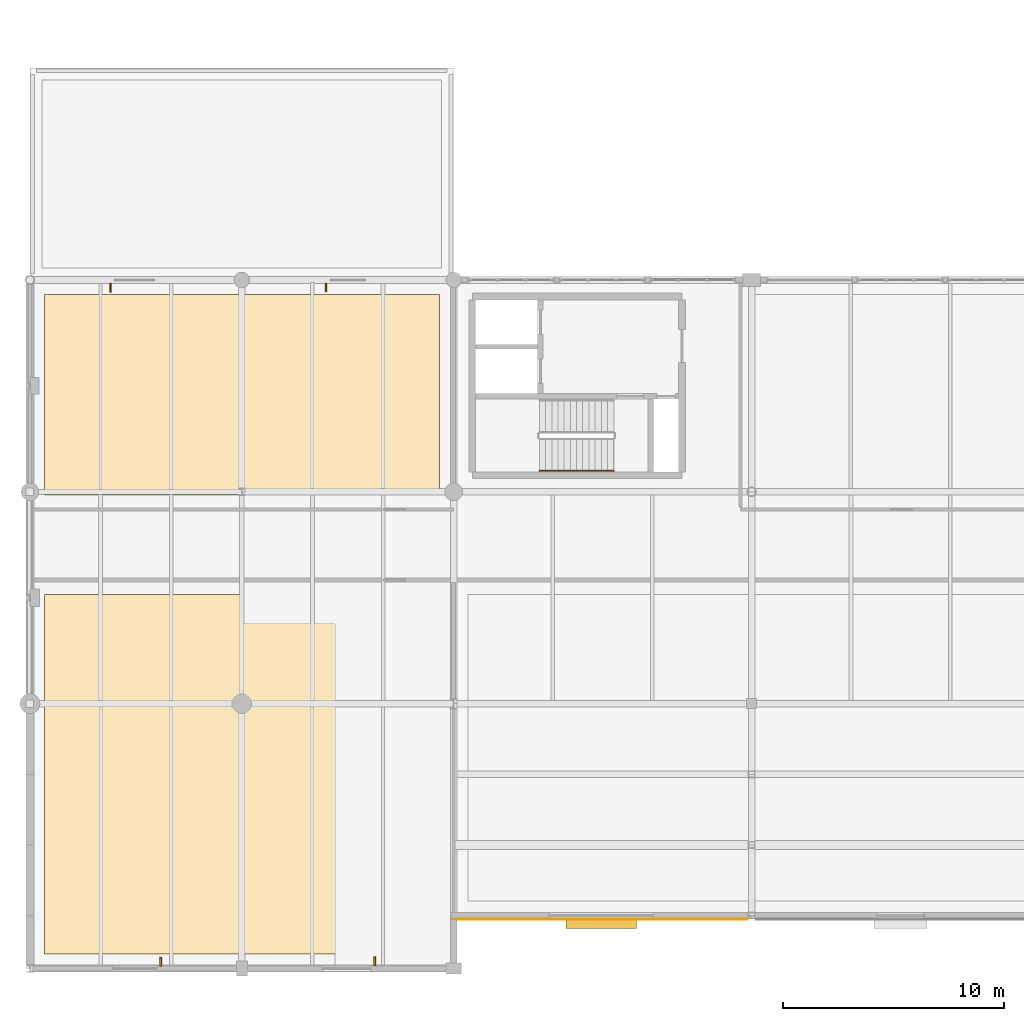
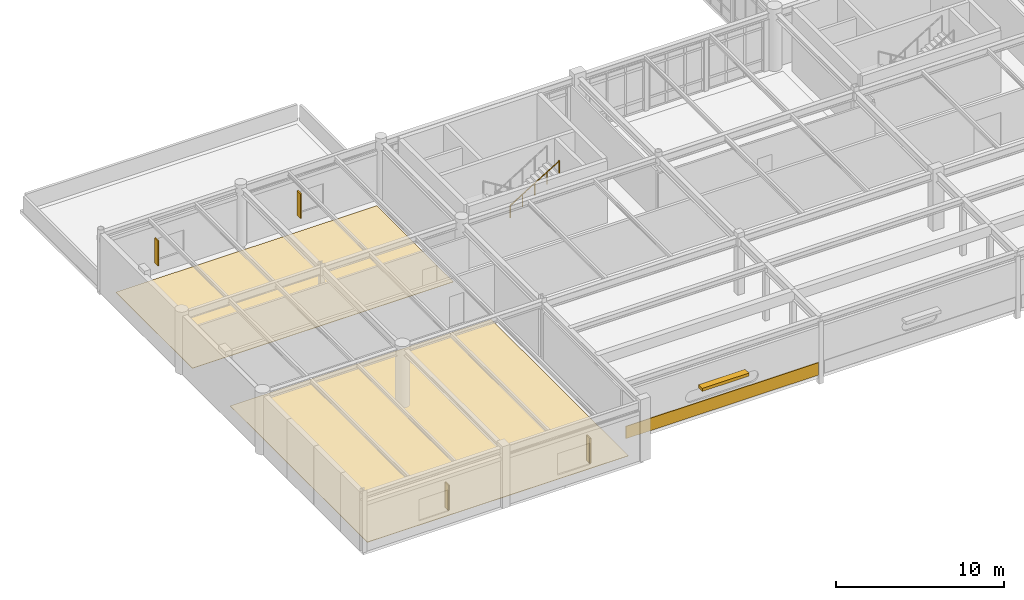
# One storey, part 53 of 61: 5 shading devices, 3 coverings, 1 railing.
"""IFC4 building model written with IfcOpenShell, lengths in metres."""

from ifc_helpers import new_model, si_unit, direction, frame, origin, origin_2d, place, context, subcontext, project, spatial, polyline, rectangle, circle, outline, extrude, material, layer, layer_set, type_object, element, save


model = new_model("IFC4")

# Units and contexts
model_context = context("Model", 3, precision=1e-05, world=origin(), true_north=direction((0.0, 1.0)))
body_context = subcontext(model_context, "Body", "Model", "MODEL_VIEW")
ifc_project = project(units=[si_unit("LENGTHUNIT", "METRE"), si_unit("AREAUNIT", "SQUARE_METRE"), si_unit("VOLUMEUNIT", "CUBIC_METRE"), si_unit("PLANEANGLEUNIT", "RADIAN"), si_unit("MASSUNIT", "GRAM", prefix="KILO")], contexts=[model_context])

# Site, building, storey
site_placement = place(None, origin())
site = spatial("IfcSite", under=ifc_project, at=site_placement, CompositionType="ELEMENT")
building_placement = place(site_placement, origin())
building = spatial("IfcBuilding", under=site, at=building_placement, Name="Fikremerkos Civic Library", CompositionType="ELEMENT")
storey_placement = place(building_placement, frame((0.0, 0.0, 14.39990234375)))
storey = spatial("IfcBuildingStorey", under=building, at=storey_placement, Name="L03", CompositionType="ELEMENT", Elevation=14.39990234375)

# Shading devices
ifc_material_1 = material(Name="Bronze anodized aluminium", Category="aluminium")
shading_device_type_1 = type_object("IfcShadingDeviceType", Name="Horizontal sun-control louvre bank SHD-01", PredefinedType="JALOUSIE", material=ifc_material_1)
shading_device_placement = place(storey_placement, frame((25.89404296875, 2.0400390625, 1.97021484375), z_axis=(0.0, 0.0, 1.0), x_axis=(1.0, 0.0, 0.0)))
element("IfcShadingDevice", 1, at=shading_device_placement, inside=storey, type_object=shading_device_type_1, Name="Sun-control louvre hood SHD-01 L03 #61", PredefinedType="JALOUSIE", context=body_context, shape_type="SweptSolid", body=[
    extrude(rectangle(XDim=3.199951171875, YDim=0.449951171875, at=origin_2d()), origin(), (0.0, 0.0, 1.0), 0.219970703125),
])
shading_device_type_2 = type_object("IfcShadingDeviceType", Name="Perforated bronze vertical solar fin SHD-02", PredefinedType="USERDEFINED", material=ifc_material_1)
for number, where, z_axis, x_axis, name in (
    (2, (15.6298828125, 0.324951171875, 0.8251953125), (0.0, 0.0, 1.0), (1.0, 0.0, 0.0), "Vertical bronze solar fin SHD-02 L03 #48"),
    (3, (5.929931640625, 0.31005859375, 0.8251953125), (0.0, 0.0, 1.0), (1.0, 0.0, 0.0), "Vertical bronze solar fin SHD-02 L03 #49"),
    (4, (3.646484375, 30.85009765625, 0.8251953125), (0.0, 0.0, 1.0), (1.0, 0.0, 0.0), "Vertical bronze solar fin SHD-02 L03 #50"),
    (5, (13.419921875, 30.860107421875, 0.8251953125), (0.0, 0.0, 1.0), (1.0, 0.0, 0.0), "Vertical bronze solar fin SHD-02 L03 #51"),
):
    element("IfcShadingDevice", number, at=place(storey_placement, frame(where, z_axis=z_axis, x_axis=x_axis)), inside=storey, type_object=shading_device_type_2, Name=name, ObjectType="SOLAR FIN", PredefinedType="USERDEFINED", context=body_context, shape_type="SweptSolid", body=[
        extrude(rectangle(XDim=0.080078125, YDim=0.39990234375, at=origin_2d()), origin(), (0.0, 0.0, 1.0), 1.800048828125),
    ])

# Coverings
ifc_material_2 = material(Name="Polished basalt terrazzo", Category="masonry")
ifc_layer_1 = layer(ifc_material_2, 0.030029296875, Name="Polished basalt terrazzo")
ifc_layer_set_1 = layer_set([ifc_layer_1], Name="Polished basalt terrazzo")
covering_type_1 = type_object("IfcCoveringType", Name="Polished basalt terrazzo flooring FLR-01", PredefinedType="FLOORING", material=ifc_layer_set_1)
covering_1_placement = place(storey_placement, origin())
element("IfcCovering", 6, at=covering_1_placement, inside=storey, type_object=covering_type_1, Name="Terrazzo floor finish Library Administration Suite", PredefinedType="FLOORING", context=body_context, shape_type="SweptSolid", body=[
    extrude(outline(polyline([(0.64990234375, 0.64990234375), (0.64990234375, 16.949951171875), (18.550048828125, 16.949951171875), (18.550048828125, 0.64990234375), (0.64990234375, 0.64990234375)])), origin(), (0.0, 0.0, 1.0), 0.030029296875),
])
covering_2_placement = place(storey_placement, origin())
element("IfcCovering", 7, at=covering_2_placement, inside=storey, type_object=covering_type_1, Name="Terrazzo floor finish Preservation Bindery Lab", PredefinedType="FLOORING", context=body_context, shape_type="SweptSolid", body=[
    extrude(outline(polyline([(0.64990234375, 21.449951171875), (0.64990234375, 30.550048828125), (18.550048828125, 30.550048828125), (18.550048828125, 21.449951171875), (0.64990234375, 21.449951171875)])), origin(), (0.0, 0.0, 1.0), 0.030029296875),
])
ifc_material_3 = material(Name="Precast concrete C40/50", Category="concrete")
ifc_layer_2 = layer(ifc_material_3, 0.044921875, Name="Precast concrete C40/50")
ifc_layer_set_2 = layer_set([ifc_layer_2], Name="Precast concrete C40/50")
covering_type_2 = type_object("IfcCoveringType", Name="Precast basalt facade cladding CLD-01", PredefinedType="CLADDING", material=ifc_layer_set_2)
covering_3_placement = place(storey_placement, frame((25.89404296875, 2.238037109375, 0.050048828125), z_axis=(0.0, 0.0, 1.0), x_axis=(1.0, 0.0, 0.0)))
element("IfcCovering", 8, at=covering_3_placement, inside=storey, type_object=covering_type_2, Name="Basalt spandrel cladding CLD-01 L03 #21", PredefinedType="CLADDING", context=body_context, shape_type="SweptSolid", body=[
    extrude(rectangle(XDim=13.2080078125, YDim=0.044921875, at=origin_2d()), origin(), (0.0, 0.0, 1.0), 0.89990234375),
])

# Railing
ifc_material_4 = material(Name="Brushed stainless steel", Category="steel")
railing_type = type_object("IfcRailingType", Name="Wall and flight handrail HRL-01 900", PredefinedType="HANDRAIL", material=ifc_material_4)
railing_placement = place(storey_placement, frame((23.090087890625, 22.550048828125, 2.423095703125)))
element("IfcRailing", 9, at=railing_placement, inside=storey, type_object=railing_type, Name="L03 ST-K1 stair handrail 2", PredefinedType="HANDRAIL", context=body_context, shape_type="SweptSolid", body=[
    extrude(circle(Radius=0.02392578125, at=origin_2d()), frame((0.0, 0.0, 0.8759765625), z_axis=(0.850606129759, 0.0, 0.525803396734), x_axis=(0.0, 1.0, 0.0)), (0.0, 0.0, 1.0), 3.949951171875),
    extrude(circle(Radius=0.02099609375, at=origin_2d()), origin(), (0.0, 0.0, 1.0), 0.851806640625),
    extrude(circle(Radius=0.02099609375, at=origin_2d()), frame((0.83984375, 0.0, 0.519287109375)), (0.0, 0.0, 1.0), 0.851806640625),
    extrude(circle(Radius=0.02099609375, at=origin_2d()), frame((1.679931640625, 0.0, 1.03857421875)), (0.0, 0.0, 1.0), 0.851806640625),
    extrude(circle(Radius=0.02099609375, at=origin_2d()), frame((2.52001953125, 0.0, 1.5576171875)), (0.0, 0.0, 1.0), 0.851806640625),
    extrude(circle(Radius=0.02099609375, at=origin_2d()), frame((3.35986328125, 0.0, 2.076904296875)), (0.0, 0.0, 1.0), 0.851806640625),
])

save(model, "model.ifc")
